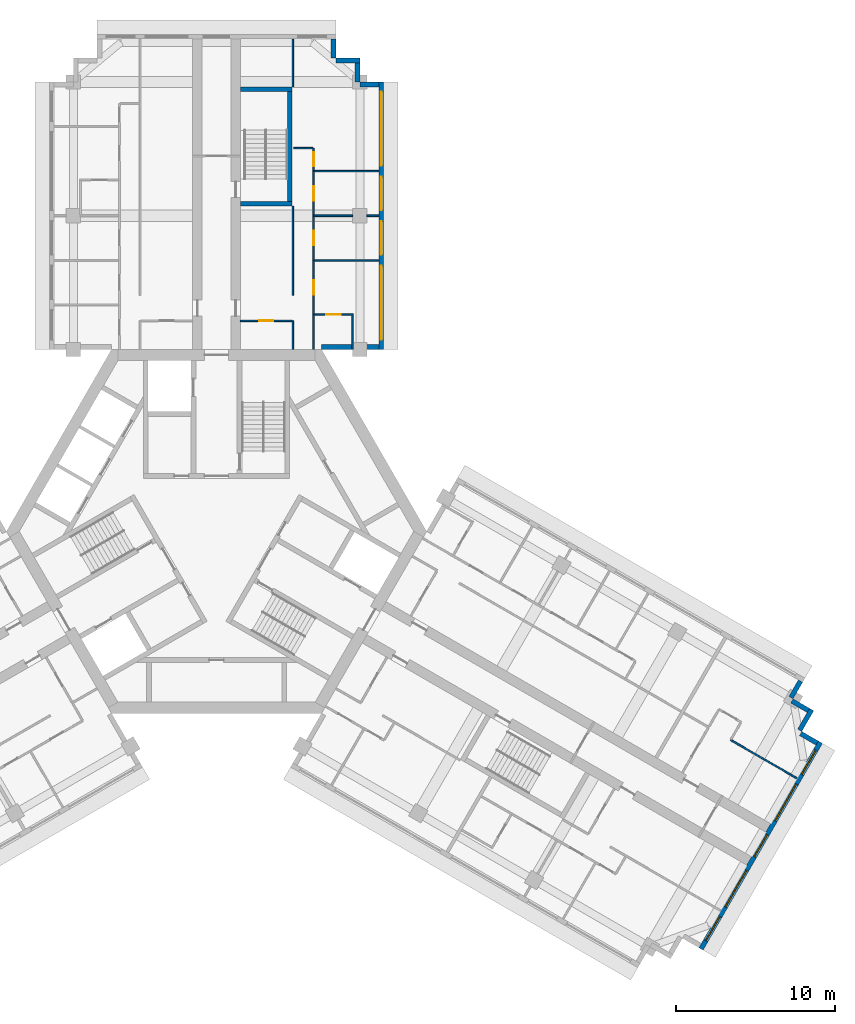
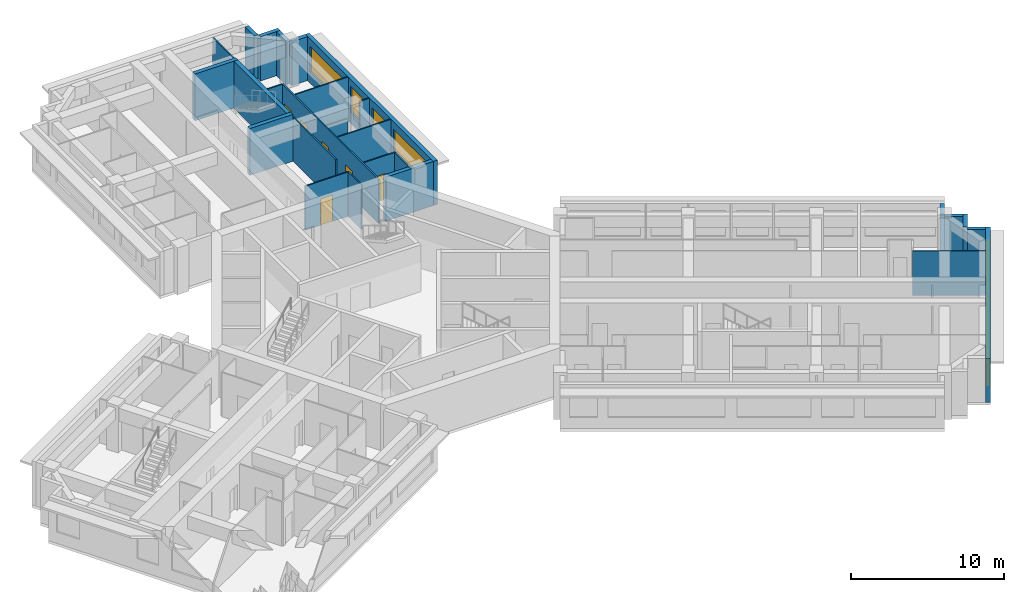
# One storey, part 8 of 10: 27 walls, 9 windows, 6 doors, 15 openings.
"""IFC4 building model written with IfcOpenShell, lengths in metres."""

from ifc_helpers import new_model, si_unit, direction, frame, frame_2d, origin, place, context, subcontext, project, spatial, rectangle, extrude, material, layer, layer_set, type_object, element, fill, save


model = new_model("IFC4")

# Units and contexts
model_context = context("Model", 3, precision=1e-05, world=origin(), true_north=direction((0.0, 1.0)))
body_context = subcontext(model_context, "Body", "Model", "MODEL_VIEW")
ifc_project = project(units=[si_unit("LENGTHUNIT", "METRE"), si_unit("AREAUNIT", "SQUARE_METRE"), si_unit("VOLUMEUNIT", "CUBIC_METRE"), si_unit("PLANEANGLEUNIT", "RADIAN"), si_unit("MASSUNIT", "GRAM", prefix="KILO")], contexts=[model_context])

# Site, building, storey
site_placement = place(None, origin())
site = spatial("IfcSite", under=ifc_project, at=site_placement, CompositionType="ELEMENT")
building_placement = place(site_placement, origin())
building = spatial("IfcBuilding", under=site, at=building_placement, Name="Impinga Residences", CompositionType="ELEMENT")
storey_placement = place(building_placement, frame((0.0, 0.0, 229.75)))
storey = spatial("IfcBuildingStorey", under=building, at=storey_placement, Name="L57", CompositionType="ELEMENT", Elevation=229.75)

# Walls
ifc_material_1 = material(Name="Terracotta rainscreen on blockwork", Category="masonry")
ifc_layer_1 = layer(ifc_material_1, 0.300048828125)
ifc_layer_set_1 = layer_set([ifc_layer_1], Name="EW1 external wall, terracotta rainscreen on blockwork 300")
wall_type_1 = type_object("IfcWallType", Name="EW1 external wall, terracotta rainscreen on blockwork 300", PredefinedType="SOLIDWALL", material=ifc_layer_set_1)
wall_1_placement = place(storey_placement, frame((36.69384765625, -9.4072265625, 0.0), z_axis=(0.0, 0.0, 1.0), x_axis=(-0.499880961361, -0.866094119867, 0.0)))
element("IfcWall", 1, at=wall_1_placement, inside=storey, type_object=wall_type_1, Name="External wall EW1 L57", PredefinedType="SOLIDWALL", context=body_context, shape_type="SweptSolid", body=[
    extrude(rectangle(XDim=1.199951171875, YDim=0.300048828125, at=frame_2d((0.60009765625, 0.0))), origin(), (0.0, 0.0, 1.0), 3.530029296875),
])
wall_2_placement = place(storey_placement, frame((36.153076171875, -10.654052734375, 0.0), z_axis=(0.0, 0.0, 1.0), x_axis=(0.866059708757, -0.499940577336, 0.0)))
element("IfcWall", 2, at=wall_2_placement, inside=storey, type_object=wall_type_1, Name="External wall EW1 L57", PredefinedType="SOLIDWALL", context=body_context, shape_type="SweptSolid", body=[
    extrude(rectangle(XDim=1.195068359375, YDim=0.300048828125, at=frame_2d((0.59765625, 0.0))), origin(), (0.0, 0.0, 1.0), 3.530029296875),
])
wall_3_placement = place(storey_placement, frame((37.39306640625, -11.196533203125, 0.0), z_axis=(0.0, 0.0, 1.0), x_axis=(-0.499990139034, -0.866031096941, 0.0)))
element("IfcWall", 3, at=wall_3_placement, inside=storey, type_object=wall_type_1, Name="External wall EW1 L57", PredefinedType="SOLIDWALL", context=body_context, shape_type="SweptSolid", body=[
    extrude(rectangle(XDim=1.5, YDim=0.300048828125, at=frame_2d((0.75, 0.0))), origin(), (0.0, 0.0, 1.0), 3.530029296875),
])
wall_4_placement = place(storey_placement, frame((36.7021484375, -12.702880859375, 0.0), z_axis=(0.0, 0.0, 1.0), x_axis=(0.865971243484, -0.500093796661, 0.0)))
element("IfcWall", 4, at=wall_4_placement, inside=storey, type_object=wall_type_1, Name="External wall EW1 L57", PredefinedType="SOLIDWALL", context=body_context, shape_type="SweptSolid", body=[
    extrude(rectangle(XDim=1.195068359375, YDim=0.300048828125, at=frame_2d((0.59765625, 0.0))), origin(), (0.0, 0.0, 1.0), 3.530029296875),
])

# Wall, openings, windows
wall_5_placement = place(storey_placement, frame((37.94189453125, -13.24560546875, 0.0), z_axis=(0.0, 0.0, 1.0), x_axis=(-0.500004234368, -0.866022959057, 0.0)))
wall_5 = element("IfcWall", 5, at=wall_5_placement, inside=storey, type_object=wall_type_1, Name="External wall EW1 L57", PredefinedType="SOLIDWALL", context=body_context, shape_type="SweptSolid", body=[
    extrude(rectangle(XDim=14.999755859375, YDim=0.300048828125, at=frame_2d((7.5, 0.0))), origin(), (0.0, 0.0, 1.0), 3.530029296875),
])
opening_1_placement = place(wall_5_placement, frame((0.60009765625, 0.0, 0.89990234375)))
opening_1 = element("IfcOpeningElement", 6, at=opening_1_placement, cuts=wall_5, Name="Opening W1", PredefinedType="OPENING", context=body_context, shape_type="SweptSolid", body=[
    extrude(rectangle(XDim=1.75, YDim=2.050048828125, at=frame_2d((0.875, 1.02490234375))), frame((0.0, 0.159912109375, 0.0), z_axis=(0.0, -1.0, 0.0), x_axis=(1.0, 0.0, 0.0)), (0.0, 0.0, 1.0), 0.320068359375),
])
opening_2_placement = place(wall_5_placement, frame((3.050048828125, 0.0, 0.89990234375)))
opening_2 = element("IfcOpeningElement", 7, at=opening_2_placement, cuts=wall_5, Name="Opening W18", PredefinedType="OPENING", context=body_context, shape_type="SweptSolid", body=[
    extrude(rectangle(XDim=2.64990234375, YDim=2.050048828125, at=frame_2d((1.324951171875, 1.02490234375))), frame((0.0, 0.159912109375, 0.0), z_axis=(0.0, -1.0, 0.0), x_axis=(1.0, 0.0, 0.0)), (0.0, 0.0, 1.0), 0.320068359375),
])
opening_3_placement = place(wall_5_placement, frame((6.699951171875, 0.0, 0.89990234375)))
opening_3 = element("IfcOpeningElement", 8, at=opening_3_placement, cuts=wall_5, Name="Opening W19", PredefinedType="OPENING", context=body_context, shape_type="SweptSolid", body=[
    extrude(rectangle(XDim=1.60009765625, YDim=2.050048828125, at=frame_2d((0.800048828125, 1.02490234375))), frame((0.0, 0.159912109375, 0.0), z_axis=(0.0, -1.0, 0.0), x_axis=(1.0, 0.0, 0.0)), (0.0, 0.0, 1.0), 0.320068359375),
])
opening_4_placement = place(wall_5_placement, frame((9.300048828125, 0.0, 0.89990234375)))
opening_4 = element("IfcOpeningElement", 9, at=opening_4_placement, cuts=wall_5, Name="Opening W18", PredefinedType="OPENING", context=body_context, shape_type="SweptSolid", body=[
    extrude(rectangle(XDim=2.64990234375, YDim=2.050048828125, at=frame_2d((1.324951171875, 1.02490234375))), frame((0.0, 0.159912109375, 0.0), z_axis=(0.0, -1.0, 0.0), x_axis=(1.0, 0.0, 0.0)), (0.0, 0.0, 1.0), 0.320068359375),
])
opening_5_placement = place(wall_5_placement, frame((12.64990234375, 0.0, 0.89990234375)))
opening_5 = element("IfcOpeningElement", 10, at=opening_5_placement, cuts=wall_5, Name="Opening W1", PredefinedType="OPENING", context=body_context, shape_type="SweptSolid", body=[
    extrude(rectangle(XDim=1.75, YDim=2.050048828125, at=frame_2d((0.875, 1.02490234375))), frame((0.0, 0.159912109375, 0.0), z_axis=(0.0, -1.0, 0.0), x_axis=(1.0, 0.0, 0.0)), (0.0, 0.0, 1.0), 0.320068359375),
])
ifc_material_2 = material(Name="Aluminium window, clear double glazing", Category="aluminium")
window_type_1 = type_object("IfcWindowType", Name="W1 ribbon window 1750x2050", PartitioningType="SINGLE_PANEL", PredefinedType="WINDOW", material=ifc_material_2)
window_1_placement = place(opening_1_placement, origin())
window_1 = element("IfcWindow", 11, at=window_1_placement, inside=storey, type_object=window_type_1, Name="Window L57", OverallHeight=2.050048828125, OverallWidth=1.75, PartitioningType="SINGLE_PANEL", PredefinedType="WINDOW", context=body_context, shape_type="SweptSolid", body=[
    extrude(rectangle(XDim=1.75, YDim=2.050048828125, at=frame_2d((0.875, 1.02490234375))), frame((0.0, 0.030029296875, 0.0), z_axis=(0.0, -1.0, 0.0), x_axis=(1.0, 0.0, 0.0)), (0.0, 0.0, 1.0), 0.06005859375),
])
fill(opening_1, window_1)
window_2_placement = place(opening_5_placement, origin())
window_2 = element("IfcWindow", 12, at=window_2_placement, inside=storey, type_object=window_type_1, Name="Window L57", OverallHeight=2.050048828125, OverallWidth=1.75, PartitioningType="SINGLE_PANEL", PredefinedType="WINDOW", context=body_context, shape_type="SweptSolid", body=[
    extrude(rectangle(XDim=1.75, YDim=2.050048828125, at=frame_2d((0.875, 1.02490234375))), frame((0.0, 0.030029296875, 0.0), z_axis=(0.0, -1.0, 0.0), x_axis=(1.0, 0.0, 0.0)), (0.0, 0.0, 1.0), 0.06005859375),
])
fill(opening_5, window_2)
window_type_2 = type_object("IfcWindowType", Name="W18 ribbon window 2650x2050", PartitioningType="SINGLE_PANEL", PredefinedType="WINDOW", material=ifc_material_2)
window_3_placement = place(opening_2_placement, origin())
window_3 = element("IfcWindow", 13, at=window_3_placement, inside=storey, type_object=window_type_2, Name="Window L57", OverallHeight=2.050048828125, OverallWidth=2.64990234375, PartitioningType="SINGLE_PANEL", PredefinedType="WINDOW", context=body_context, shape_type="SweptSolid", body=[
    extrude(rectangle(XDim=2.64990234375, YDim=2.050048828125, at=frame_2d((1.324951171875, 1.02490234375))), frame((0.0, 0.030029296875, 0.0), z_axis=(0.0, -1.0, 0.0), x_axis=(1.0, 0.0, 0.0)), (0.0, 0.0, 1.0), 0.06005859375),
])
fill(opening_2, window_3)
window_4_placement = place(opening_4_placement, origin())
window_4 = element("IfcWindow", 14, at=window_4_placement, inside=storey, type_object=window_type_2, Name="Window L57", OverallHeight=2.050048828125, OverallWidth=2.64990234375, PartitioningType="SINGLE_PANEL", PredefinedType="WINDOW", context=body_context, shape_type="SweptSolid", body=[
    extrude(rectangle(XDim=2.64990234375, YDim=2.050048828125, at=frame_2d((1.324951171875, 1.02490234375))), frame((0.0, 0.030029296875, 0.0), z_axis=(0.0, -1.0, 0.0), x_axis=(1.0, 0.0, 0.0)), (0.0, 0.0, 1.0), 0.06005859375),
])
fill(opening_4, window_4)
window_type_3 = type_object("IfcWindowType", Name="W19 ribbon window 1600x2050", PartitioningType="SINGLE_PANEL", PredefinedType="WINDOW", material=ifc_material_2)
window_5_placement = place(opening_3_placement, origin())
window_5 = element("IfcWindow", 15, at=window_5_placement, inside=storey, type_object=window_type_3, Name="Window L57", OverallHeight=2.050048828125, OverallWidth=1.60009765625, PartitioningType="SINGLE_PANEL", PredefinedType="WINDOW", context=body_context, shape_type="SweptSolid", body=[
    extrude(rectangle(XDim=1.60009765625, YDim=2.050048828125, at=frame_2d((0.800048828125, 1.02490234375))), frame((0.0, 0.030029296875, 0.0), z_axis=(0.0, -1.0, 0.0), x_axis=(1.0, 0.0, 0.0)), (0.0, 0.0, 1.0), 0.06005859375),
])
fill(opening_3, window_5)

# Walls
wall_6_placement = place(storey_placement, frame((7.35009765625, 30.931640625, 0.0), z_axis=(0.0, 0.0, 1.0), x_axis=(0.0, -1.0, 0.0)))
element("IfcWall", 16, at=wall_6_placement, inside=storey, type_object=wall_type_1, Name="External wall EW1 L57", PredefinedType="SOLIDWALL", context=body_context, shape_type="SweptSolid", body=[
    extrude(rectangle(XDim=1.195068359375, YDim=0.300048828125, at=frame_2d((0.59765625, 0.0))), origin(), (0.0, 0.0, 1.0), 3.530029296875),
])
wall_7_placement = place(storey_placement, frame((7.5, 29.58154296875, 0.0), z_axis=(0.0, 0.0, 1.0), x_axis=(1.0, 0.0, 0.0)))
element("IfcWall", 17, at=wall_7_placement, inside=storey, type_object=wall_type_1, Name="External wall EW1 L57", PredefinedType="SOLIDWALL", context=body_context, shape_type="SweptSolid", body=[
    extrude(rectangle(XDim=1.5, YDim=0.300048828125, at=frame_2d((0.75, 0.0))), origin(), (0.0, 0.0, 1.0), 3.530029296875),
])
wall_8_placement = place(storey_placement, frame((8.85009765625, 29.431640625, 0.0), z_axis=(0.0, 0.0, 1.0), x_axis=(0.0, -1.0, 0.0)))
element("IfcWall", 18, at=wall_8_placement, inside=storey, type_object=wall_type_1, Name="External wall EW1 L57", PredefinedType="SOLIDWALL", context=body_context, shape_type="SweptSolid", body=[
    extrude(rectangle(XDim=1.2001953125, YDim=0.300048828125, at=frame_2d((0.60009765625, 0.0))), origin(), (0.0, 0.0, 1.0), 3.530029296875),
])
wall_9_placement = place(storey_placement, frame((9.0048828125, 28.08154296875, 0.0), z_axis=(0.0, 0.0, 1.0), x_axis=(1.0, 0.0, 0.0)))
element("IfcWall", 19, at=wall_9_placement, inside=storey, type_object=wall_type_1, Name="External wall EW1 L57", PredefinedType="SOLIDWALL", context=body_context, shape_type="SweptSolid", body=[
    extrude(rectangle(XDim=1.195068359375, YDim=0.300048828125, at=frame_2d((0.59765625, 0.0))), origin(), (0.0, 0.0, 1.0), 3.530029296875),
])

# Wall, openings, windows
wall_10_placement = place(storey_placement, frame((10.35009765625, 28.2314453125, 0.0), z_axis=(0.0, 0.0, 1.0), x_axis=(0.0, -1.0, 0.0)))
wall_10 = element("IfcWall", 20, at=wall_10_placement, inside=storey, type_object=wall_type_1, Name="External wall EW1 L57", PredefinedType="SOLIDWALL", context=body_context, shape_type="SweptSolid", body=[
    extrude(rectangle(XDim=16.7998046875, YDim=0.300048828125, at=frame_2d((8.39990234375, 0.0))), origin(), (0.0, 0.0, 1.0), 3.530029296875),
])
opening_6_placement = place(wall_10_placement, frame((0.60009765625, 0.0, 0.89990234375)))
opening_6 = element("IfcOpeningElement", 21, at=opening_6_placement, cuts=wall_10, Name="Opening W10", PredefinedType="OPENING", context=body_context, shape_type="SweptSolid", body=[
    extrude(rectangle(XDim=4.64990234375, YDim=2.050048828125, at=frame_2d((2.324951171875, 1.02490234375))), frame((0.0, 0.159912109375, 0.0), z_axis=(0.0, -1.0, 0.0), x_axis=(1.0, 0.0, 0.0)), (0.0, 0.0, 1.0), 0.320068359375),
])
opening_7_placement = place(wall_10_placement, frame((5.949951171875, 0.0, 0.89990234375)))
opening_7 = element("IfcOpeningElement", 22, at=opening_7_placement, cuts=wall_10, Name="Opening W9", PredefinedType="OPENING", context=body_context, shape_type="SweptSolid", body=[
    extrude(rectangle(XDim=2.10009765625, YDim=2.050048828125, at=frame_2d((1.050048828125, 1.02490234375))), frame((0.0, 0.159912109375, 0.0), z_axis=(0.0, -1.0, 0.0), x_axis=(1.0, 0.0, 0.0)), (0.0, 0.0, 1.0), 0.320068359375),
])
opening_8_placement = place(wall_10_placement, frame((8.75, 0.0, 0.89990234375)))
opening_8 = element("IfcOpeningElement", 23, at=opening_8_placement, cuts=wall_10, Name="Opening W9", PredefinedType="OPENING", context=body_context, shape_type="SweptSolid", body=[
    extrude(rectangle(XDim=2.10009765625, YDim=2.050048828125, at=frame_2d((1.050048828125, 1.02490234375))), frame((0.0, 0.159912109375, 0.0), z_axis=(0.0, -1.0, 0.0), x_axis=(1.0, 0.0, 0.0)), (0.0, 0.0, 1.0), 0.320068359375),
])
opening_9_placement = place(wall_10_placement, frame((11.550048828125, 0.0, 0.89990234375)))
opening_9 = element("IfcOpeningElement", 24, at=opening_9_placement, cuts=wall_10, Name="Opening W10", PredefinedType="OPENING", context=body_context, shape_type="SweptSolid", body=[
    extrude(rectangle(XDim=4.64990234375, YDim=2.050048828125, at=frame_2d((2.324951171875, 1.02490234375))), frame((0.0, 0.159912109375, 0.0), z_axis=(0.0, -1.0, 0.0), x_axis=(1.0, 0.0, 0.0)), (0.0, 0.0, 1.0), 0.320068359375),
])
window_type_4 = type_object("IfcWindowType", Name="W10 ribbon window 4650x2050", PartitioningType="SINGLE_PANEL", PredefinedType="WINDOW", material=ifc_material_2)
window_6_placement = place(opening_6_placement, origin())
window_6 = element("IfcWindow", 25, at=window_6_placement, inside=storey, type_object=window_type_4, Name="Window L57", OverallHeight=2.050048828125, OverallWidth=4.64990234375, PartitioningType="SINGLE_PANEL", PredefinedType="WINDOW", context=body_context, shape_type="SweptSolid", body=[
    extrude(rectangle(XDim=4.64990234375, YDim=2.050048828125, at=frame_2d((2.324951171875, 1.02490234375))), frame((0.0, 0.030029296875, 0.0), z_axis=(0.0, -1.0, 0.0), x_axis=(1.0, 0.0, 0.0)), (0.0, 0.0, 1.0), 0.06005859375),
])
fill(opening_6, window_6)
window_7_placement = place(opening_9_placement, origin())
window_7 = element("IfcWindow", 26, at=window_7_placement, inside=storey, type_object=window_type_4, Name="Window L57", OverallHeight=2.050048828125, OverallWidth=4.64990234375, PartitioningType="SINGLE_PANEL", PredefinedType="WINDOW", context=body_context, shape_type="SweptSolid", body=[
    extrude(rectangle(XDim=4.64990234375, YDim=2.050048828125, at=frame_2d((2.324951171875, 1.02490234375))), frame((0.0, 0.030029296875, 0.0), z_axis=(0.0, -1.0, 0.0), x_axis=(1.0, 0.0, 0.0)), (0.0, 0.0, 1.0), 0.06005859375),
])
fill(opening_9, window_7)
window_type_5 = type_object("IfcWindowType", Name="W9 ribbon window 2100x2050", PartitioningType="SINGLE_PANEL", PredefinedType="WINDOW", material=ifc_material_2)
window_8_placement = place(opening_7_placement, origin())
window_8 = element("IfcWindow", 27, at=window_8_placement, inside=storey, type_object=window_type_5, Name="Window L57", OverallHeight=2.050048828125, OverallWidth=2.10009765625, PartitioningType="SINGLE_PANEL", PredefinedType="WINDOW", context=body_context, shape_type="SweptSolid", body=[
    extrude(rectangle(XDim=2.10009765625, YDim=2.050048828125, at=frame_2d((1.050048828125, 1.02490234375))), frame((0.0, 0.030029296875, 0.0), z_axis=(0.0, -1.0, 0.0), x_axis=(1.0, 0.0, 0.0)), (0.0, 0.0, 1.0), 0.06005859375),
])
fill(opening_7, window_8)
window_9_placement = place(opening_8_placement, origin())
window_9 = element("IfcWindow", 28, at=window_9_placement, inside=storey, type_object=window_type_5, Name="Window L57", OverallHeight=2.050048828125, OverallWidth=2.10009765625, PartitioningType="SINGLE_PANEL", PredefinedType="WINDOW", context=body_context, shape_type="SweptSolid", body=[
    extrude(rectangle(XDim=2.10009765625, YDim=2.050048828125, at=frame_2d((1.050048828125, 1.02490234375))), frame((0.0, 0.030029296875, 0.0), z_axis=(0.0, -1.0, 0.0), x_axis=(1.0, 0.0, 0.0)), (0.0, 0.0, 1.0), 0.06005859375),
])
fill(opening_8, window_9)

# Walls
wall_11_placement = place(storey_placement, frame((10.199951171875, 11.58154296875, 0.0), z_axis=(0.0, 0.0, 1.0), x_axis=(-1.0, 0.0, 0.0)))
element("IfcWall", 29, at=wall_11_placement, inside=storey, type_object=wall_type_1, Name="External wall EW1 L57", PredefinedType="SOLIDWALL", context=body_context, shape_type="SweptSolid", body=[
    extrude(rectangle(XDim=3.599853515625, YDim=0.300048828125, at=frame_2d((1.7998046875, 0.0))), origin(), (0.0, 0.0, 1.0), 3.530029296875),
])
ifc_material_3 = material(Name="Gypsum board on steel studs", Category="steel")
ifc_layer_2 = layer(ifc_material_3, 0.10009765625)
ifc_layer_set_2 = layer_set([ifc_layer_2], Name="Gypsum board on steel studs")
wall_type_2 = type_object("IfcWallType", Name="IP1 partition 100", PredefinedType="PARTITIONING", material=ifc_layer_set_2)
wall_12_placement = place(storey_placement, frame((4.800048828125, 11.431640625, 0.0), z_axis=(0.0, 0.0, 1.0), x_axis=(0.0, 1.0, 0.0)))
element("IfcWall", 30, at=wall_12_placement, inside=storey, type_object=wall_type_2, Name="Partition L57-NF1:DIV0", PredefinedType="PARTITIONING", context=body_context, shape_type="SweptSolid", body=[
    extrude(rectangle(XDim=1.7998046875, YDim=0.10009765625, at=frame_2d((0.89990234375, 0.0))), origin(), (0.0, 0.0, 1.0), 3.530029296875),
])
wall_13_placement = place(storey_placement, frame((4.800048828125, 14.83154296875, 0.0), z_axis=(0.0, 0.0, 1.0), x_axis=(0.0, 1.0, 0.0)))
element("IfcWall", 31, at=wall_13_placement, inside=storey, type_object=wall_type_2, Name="Partition L57-NF1:DIV1", PredefinedType="PARTITIONING", context=body_context, shape_type="SweptSolid", body=[
    extrude(rectangle(XDim=5.60009765625, YDim=0.10009765625, at=frame_2d((2.800048828125, 0.0))), origin(), (0.0, 0.0, 1.0), 3.530029296875),
])
wall_14_placement = place(storey_placement, frame((4.800048828125, 27.931640625, 0.0), z_axis=(0.0, 0.0, 1.0), x_axis=(0.0, 1.0, 0.0)))
element("IfcWall", 32, at=wall_14_placement, inside=storey, type_object=wall_type_2, Name="Partition L57-NF1:DIV2", PredefinedType="PARTITIONING", context=body_context, shape_type="SweptSolid", body=[
    extrude(rectangle(XDim=3.0, YDim=0.10009765625, at=frame_2d((1.5, 0.0))), origin(), (0.0, 0.0, 1.0), 3.530029296875),
])

# Wall, openings, doors
wall_15_placement = place(storey_placement, frame((6.10009765625, 11.431640625, 0.0), z_axis=(0.0, 0.0, 1.0), x_axis=(0.0, 1.0, 0.0)))
wall_15 = element("IfcWall", 33, at=wall_15_placement, inside=storey, type_object=wall_type_2, Name="Partition L57-NF1:STRIP", PredefinedType="PARTITIONING", context=body_context, shape_type="SweptSolid", body=[
    extrude(rectangle(XDim=12.64990234375, YDim=0.10009765625, at=frame_2d((6.324951171875, 0.0))), origin(), (0.0, 0.0, 1.0), 3.530029296875),
])
opening_10_placement = place(wall_15_placement, frame((3.449951171875, 0.0, 0.0)))
opening_10 = element("IfcOpeningElement", 34, at=opening_10_placement, cuts=wall_15, Name="Opening D2", PredefinedType="OPENING", context=body_context, shape_type="SweptSolid", body=[
    extrude(rectangle(XDim=0.89990234375, YDim=2.10009765625, at=frame_2d((0.449951171875, 1.050048828125))), frame((0.0, 0.06005859375, 0.0), z_axis=(0.0, -1.0, 0.0), x_axis=(1.0, 0.0, 0.0)), (0.0, 0.0, 1.0), 0.1201171875),
])
opening_11_placement = place(wall_15_placement, frame((6.550048828125, 0.0, 0.0)))
opening_11 = element("IfcOpeningElement", 35, at=opening_11_placement, cuts=wall_15, Name="Opening D2", PredefinedType="OPENING", context=body_context, shape_type="SweptSolid", body=[
    extrude(rectangle(XDim=0.89990234375, YDim=2.10009765625, at=frame_2d((0.449951171875, 1.050048828125))), frame((0.0, 0.06005859375, 0.0), z_axis=(0.0, -1.0, 0.0), x_axis=(1.0, 0.0, 0.0)), (0.0, 0.0, 1.0), 0.1201171875),
])
opening_12_placement = place(wall_15_placement, frame((9.35009765625, 0.0, 0.0)))
opening_12 = element("IfcOpeningElement", 36, at=opening_12_placement, cuts=wall_15, Name="Opening D2", PredefinedType="OPENING", context=body_context, shape_type="SweptSolid", body=[
    extrude(rectangle(XDim=0.89990234375, YDim=2.10009765625, at=frame_2d((0.449951171875, 1.050048828125))), frame((0.0, 0.06005859375, 0.0), z_axis=(0.0, -1.0, 0.0), x_axis=(1.0, 0.0, 0.0)), (0.0, 0.0, 1.0), 0.1201171875),
])
opening_13_placement = place(wall_15_placement, frame((11.5, 0.0, 0.0)))
opening_13 = element("IfcOpeningElement", 37, at=opening_13_placement, cuts=wall_15, Name="Opening D2", PredefinedType="OPENING", context=body_context, shape_type="SweptSolid", body=[
    extrude(rectangle(XDim=0.89990234375, YDim=2.10009765625, at=frame_2d((0.449951171875, 1.050048828125))), frame((0.0, 0.06005859375, 0.0), z_axis=(0.0, -1.0, 0.0), x_axis=(1.0, 0.0, 0.0)), (0.0, 0.0, 1.0), 0.1201171875),
])
ifc_material_4 = material(Name="Timber door set", Category="wood")
door_type = type_object("IfcDoorType", Name="D2 internal door 900x2100", OperationType="SINGLE_SWING_LEFT", PredefinedType="DOOR", material=ifc_material_4)
door_1_placement = place(opening_10_placement, origin())
door_1 = element("IfcDoor", 38, at=door_1_placement, inside=storey, type_object=door_type, Name="Apartment L57-NF1 room door", OperationType="SINGLE_SWING_LEFT", OverallHeight=2.10009765625, OverallWidth=0.89990234375, PredefinedType="DOOR", context=body_context, shape_type="SweptSolid", body=[
    extrude(rectangle(XDim=0.89990234375, YDim=2.10009765625, at=frame_2d((0.449951171875, 1.050048828125))), frame((0.0, 0.02490234375, 0.0), z_axis=(0.0, -1.0, 0.0), x_axis=(1.0, 0.0, 0.0)), (0.0, 0.0, 1.0), 0.050048828125),
])
fill(opening_10, door_1)
door_2_placement = place(opening_11_placement, origin())
door_2 = element("IfcDoor", 39, at=door_2_placement, inside=storey, type_object=door_type, Name="Apartment L57-NF1 room door", OperationType="SINGLE_SWING_RIGHT", OverallHeight=2.10009765625, OverallWidth=0.89990234375, PredefinedType="DOOR", context=body_context, shape_type="SweptSolid", body=[
    extrude(rectangle(XDim=0.89990234375, YDim=2.10009765625, at=frame_2d((0.449951171875, 1.050048828125))), frame((0.0, 0.02490234375, 0.0), z_axis=(0.0, -1.0, 0.0), x_axis=(1.0, 0.0, 0.0)), (0.0, 0.0, 1.0), 0.050048828125),
])
fill(opening_11, door_2)
door_3_placement = place(opening_12_placement, origin())
door_3 = element("IfcDoor", 40, at=door_3_placement, inside=storey, type_object=door_type, Name="Apartment L57-NF1 room door", OperationType="SINGLE_SWING_RIGHT", OverallHeight=2.10009765625, OverallWidth=0.89990234375, PredefinedType="DOOR", context=body_context, shape_type="SweptSolid", body=[
    extrude(rectangle(XDim=0.89990234375, YDim=2.10009765625, at=frame_2d((0.449951171875, 1.050048828125))), frame((0.0, 0.02490234375, 0.0), z_axis=(0.0, -1.0, 0.0), x_axis=(1.0, 0.0, 0.0)), (0.0, 0.0, 1.0), 0.050048828125),
])
fill(opening_12, door_3)
door_4_placement = place(opening_13_placement, origin())
door_4 = element("IfcDoor", 41, at=door_4_placement, inside=storey, type_object=door_type, Name="Apartment L57-NF1 room door", OperationType="SINGLE_SWING_RIGHT", OverallHeight=2.10009765625, OverallWidth=0.89990234375, PredefinedType="DOOR", context=body_context, shape_type="SweptSolid", body=[
    extrude(rectangle(XDim=0.89990234375, YDim=2.10009765625, at=frame_2d((0.449951171875, 1.050048828125))), frame((0.0, 0.02490234375, 0.0), z_axis=(0.0, -1.0, 0.0), x_axis=(1.0, 0.0, 0.0)), (0.0, 0.0, 1.0), 0.050048828125),
])
fill(opening_13, door_4)

# Wall
wall_16_placement = place(storey_placement, frame((4.85009765625, 24.08154296875, 0.0), z_axis=(0.0, 0.0, 1.0), x_axis=(1.0, 0.0, 0.0)))
element("IfcWall", 42, at=wall_16_placement, inside=storey, type_object=wall_type_2, Name="Partition L57-NF1:SE1", PredefinedType="PARTITIONING", context=body_context, shape_type="SweptSolid", body=[
    extrude(rectangle(XDim=1.199951171875, YDim=0.10009765625, at=frame_2d((0.60009765625, 0.0))), origin(), (0.0, 0.0, 1.0), 3.530029296875),
])

# Wall, opening, door
wall_17_placement = place(storey_placement, frame((1.5, 13.2314453125, 0.0), z_axis=(0.0, 0.0, 1.0), x_axis=(1.0, 0.0, 0.0)))
wall_17 = element("IfcWall", 43, at=wall_17_placement, inside=storey, type_object=wall_type_2, Name="Partition L57-NF1:IB1", PredefinedType="PARTITIONING", context=body_context, shape_type="SweptSolid", body=[
    extrude(rectangle(XDim=3.25, YDim=0.10009765625, at=frame_2d((1.625, 0.0))), origin(), (0.0, 0.0, 1.0), 3.530029296875),
])
opening_14_placement = place(wall_17_placement, frame((1.175048828125, 0.0, 0.0)))
opening_14 = element("IfcOpeningElement", 44, at=opening_14_placement, cuts=wall_17, Name="Opening D2", PredefinedType="OPENING", context=body_context, shape_type="SweptSolid", body=[
    extrude(rectangle(XDim=0.89990234375, YDim=2.10009765625, at=frame_2d((0.449951171875, 1.050048828125))), frame((0.0, 0.06005859375, 0.0), z_axis=(0.0, -1.0, 0.0), x_axis=(1.0, 0.0, 0.0)), (0.0, 0.0, 1.0), 0.1201171875),
])
door_5_placement = place(opening_14_placement, origin())
door_5 = element("IfcDoor", 45, at=door_5_placement, inside=storey, type_object=door_type, Name="Apartment L57-NF1 bathroom door", OperationType="SINGLE_SWING_LEFT", OverallHeight=2.10009765625, OverallWidth=0.89990234375, PredefinedType="DOOR", context=body_context, shape_type="SweptSolid", body=[
    extrude(rectangle(XDim=0.89990234375, YDim=2.10009765625, at=frame_2d((0.449951171875, 1.050048828125))), frame((0.0, 0.02490234375, 0.0), z_axis=(0.0, -1.0, 0.0), x_axis=(1.0, 0.0, 0.0)), (0.0, 0.0, 1.0), 0.050048828125),
])
fill(opening_14, door_5)

# Walls
wall_18_placement = place(storey_placement, frame((6.14990234375, 17.031494140625, 0.0), z_axis=(0.0, 0.0, 1.0), x_axis=(1.0, 0.0, 0.0)))
element("IfcWall", 46, at=wall_18_placement, inside=storey, type_object=wall_type_2, Name="Partition L57-NF1:OB1", PredefinedType="PARTITIONING", context=body_context, shape_type="SweptSolid", body=[
    extrude(rectangle(XDim=4.050048828125, YDim=0.10009765625, at=frame_2d((2.02490234375, 0.0))), origin(), (0.0, 0.0, 1.0), 3.530029296875),
])
wall_19_placement = place(storey_placement, frame((6.14990234375, 19.83154296875, 0.0), z_axis=(0.0, 0.0, 1.0), x_axis=(1.0, 0.0, 0.0)))
element("IfcWall", 47, at=wall_19_placement, inside=storey, type_object=wall_type_2, Name="Partition L57-NF1:OB2", PredefinedType="PARTITIONING", context=body_context, shape_type="SweptSolid", body=[
    extrude(rectangle(XDim=2.400146484375, YDim=0.10009765625, at=frame_2d((1.2001953125, 0.0))), origin(), (0.0, 0.0, 1.0), 2.47998046875),
])
wall_20_placement = place(storey_placement, frame((9.449951171875, 19.83154296875, 0.0), z_axis=(0.0, 0.0, 1.0), x_axis=(1.0, 0.0, 0.0)))
element("IfcWall", 48, at=wall_20_placement, inside=storey, type_object=wall_type_2, Name="Partition L57-NF1:OB2b", PredefinedType="PARTITIONING", context=body_context, shape_type="SweptSolid", body=[
    extrude(rectangle(XDim=0.75, YDim=0.10009765625, at=frame_2d((0.375, 0.0))), origin(), (0.0, 0.0, 1.0), 3.530029296875),
])
wall_21_placement = place(storey_placement, frame((6.14990234375, 22.631591796875, 0.0), z_axis=(0.0, 0.0, 1.0), x_axis=(1.0, 0.0, 0.0)))
element("IfcWall", 49, at=wall_21_placement, inside=storey, type_object=wall_type_2, Name="Partition L57-NF1:OB3", PredefinedType="PARTITIONING", context=body_context, shape_type="SweptSolid", body=[
    extrude(rectangle(XDim=4.050048828125, YDim=0.10009765625, at=frame_2d((2.02490234375, 0.0))), origin(), (0.0, 0.0, 1.0), 3.530029296875),
])

# Wall, opening, door
wall_22_placement = place(storey_placement, frame((6.14990234375, 13.631591796875, 0.0), z_axis=(0.0, 0.0, 1.0), x_axis=(1.0, 0.0, 0.0)))
wall_22 = element("IfcWall", 50, at=wall_22_placement, inside=storey, type_object=wall_type_2, Name="Partition L57-NF1:EN1", PredefinedType="PARTITIONING", context=body_context, shape_type="SweptSolid", body=[
    extrude(rectangle(XDim=2.4501953125, YDim=0.10009765625, at=frame_2d((1.22509765625, 0.0))), origin(), (0.0, 0.0, 1.0), 3.530029296875),
])
opening_15_placement = place(wall_22_placement, frame((0.75, 0.0, 0.0)))
opening_15 = element("IfcOpeningElement", 51, at=opening_15_placement, cuts=wall_22, Name="Opening D2", PredefinedType="OPENING", context=body_context, shape_type="SweptSolid", body=[
    extrude(rectangle(XDim=0.89990234375, YDim=2.10009765625, at=frame_2d((0.449951171875, 1.050048828125))), frame((0.0, 0.06005859375, 0.0), z_axis=(0.0, -1.0, 0.0), x_axis=(1.0, 0.0, 0.0)), (0.0, 0.0, 1.0), 0.1201171875),
])
door_6_placement = place(opening_15_placement, origin())
door_6 = element("IfcDoor", 52, at=door_6_placement, inside=storey, type_object=door_type, Name="Apartment L57-NF1 en-suite door", OperationType="SINGLE_SWING_LEFT", OverallHeight=2.10009765625, OverallWidth=0.89990234375, PredefinedType="DOOR", context=body_context, shape_type="SweptSolid", body=[
    extrude(rectangle(XDim=0.89990234375, YDim=2.10009765625, at=frame_2d((0.449951171875, 1.050048828125))), frame((0.0, 0.02490234375, 0.0), z_axis=(0.0, -1.0, 0.0), x_axis=(1.0, 0.0, 0.0)), (0.0, 0.0, 1.0), 0.050048828125),
])
fill(opening_15, door_6)

# Walls
wall_23_placement = place(storey_placement, frame((8.550048828125, 11.431640625, 0.0), z_axis=(0.0, 0.0, 1.0), x_axis=(0.0, 1.0, 0.0)))
element("IfcWall", 53, at=wall_23_placement, inside=storey, type_object=wall_type_2, Name="Partition L57-NF1:EN2", PredefinedType="PARTITIONING", context=body_context, shape_type="SweptSolid", body=[
    extrude(rectangle(XDim=2.14990234375, YDim=0.10009765625, at=frame_2d((1.074951171875, 0.0))), origin(), (0.0, 0.0, 1.0), 3.530029296875),
])
wall_24_placement = place(storey_placement, frame((32.30517578125, -13.10888671875, 0.0), z_axis=(0.0, 0.0, 1.0), x_axis=(0.866037363387, -0.499979284789, 0.0)))
element("IfcWall", 54, at=wall_24_placement, inside=storey, type_object=wall_type_2, Name="Partition L57-EA2:DIV1", PredefinedType="PARTITIONING", context=body_context, shape_type="SweptSolid", body=[
    extrude(rectangle(XDim=4.800048828125, YDim=0.10009765625, at=frame_2d((2.39990234375, 0.0))), origin(), (0.0, 0.0, 1.0), 3.530029296875),
])
ifc_material_5 = material(Name="Concrete C60/75", Category="concrete")
ifc_layer_3 = layer(ifc_material_5, 0.300048828125)
ifc_layer_set_3 = layer_set([ifc_layer_3], Name="Concrete C60/75")
wall_type_3 = type_object("IfcWallType", Name="SE1 wing stair enclosure wall 300", PredefinedType="SOLIDWALL", material=ifc_layer_set_3)
for number, where, z_axis, x_axis, name in (
    (55, (1.5, 20.58154296875, 0.0), (0.0, 0.0, 1.0), (1.0, 0.0, 0.0), "Stair enclosure wall SE1 N END0 L57"),
    (56, (1.5, 27.781494140625, 0.0), (0.0, 0.0, 1.0), (1.0, 0.0, 0.0), "Stair enclosure wall SE1 N END1 L57"),
):
    element("IfcWall", number, at=place(storey_placement, frame(where, z_axis=z_axis, x_axis=x_axis)), inside=storey, type_object=wall_type_3, Name=name, PredefinedType="SOLIDWALL", context=body_context, shape_type="SweptSolid", body=[
        extrude(rectangle(XDim=3.25, YDim=0.300048828125, at=frame_2d((1.625, 0.0))), origin(), (0.0, 0.0, 1.0), 3.75),
    ])
wall_25_placement = place(storey_placement, frame((4.60009765625, 20.7314453125, 0.0), z_axis=(0.0, 0.0, 1.0), x_axis=(0.0, 1.0, 0.0)))
element("IfcWall", 57, at=wall_25_placement, inside=storey, type_object=wall_type_3, Name="Stair enclosure wall SE1 N OUT L57", PredefinedType="SOLIDWALL", context=body_context, shape_type="SweptSolid", body=[
    extrude(rectangle(XDim=6.900146484375, YDim=0.300048828125, at=frame_2d((3.4501953125, 0.0))), origin(), (0.0, 0.0, 1.0), 3.75),
])

save(model, "model.ifc")
